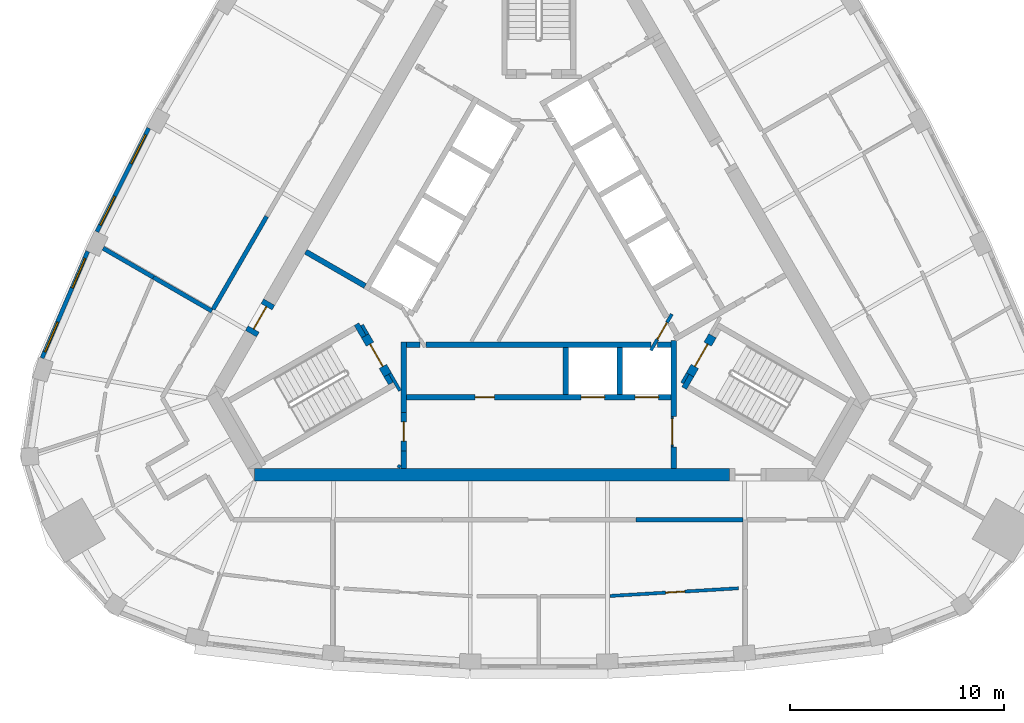
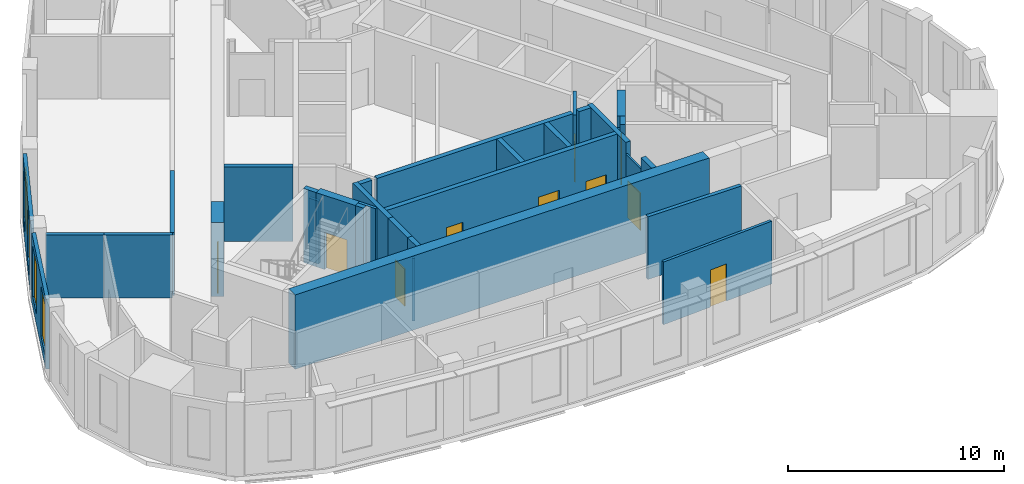
# One storey, part 4 of 10: 32 walls, 10 doors, 4 windows, 14 openings.
"""IFC4 building model written with IfcOpenShell, lengths in metres."""

from ifc_helpers import new_model, si_unit, direction, frame, frame_2d, origin, place, context, subcontext, project, spatial, rectangle, extrude, material, layer, layer_set, type_object, element, fill, save


model = new_model("IFC4")

# Units and contexts
model_context = context("Model", 3, precision=1e-05, world=origin(), true_north=direction((0.0, 1.0)))
body_context = subcontext(model_context, "Body", "Model", "MODEL_VIEW")
ifc_project = project(units=[si_unit("LENGTHUNIT", "METRE"), si_unit("AREAUNIT", "SQUARE_METRE"), si_unit("VOLUMEUNIT", "CUBIC_METRE"), si_unit("PLANEANGLEUNIT", "RADIAN"), si_unit("MASSUNIT", "GRAM", prefix="KILO")], contexts=[model_context])

# Site, building, storey
site_placement = place(None, origin())
site = spatial("IfcSite", under=ifc_project, at=site_placement, CompositionType="ELEMENT")
building_placement = place(site_placement, origin())
building = spatial("IfcBuilding", under=site, at=building_placement, Name="Mestral Congress Tower", CompositionType="ELEMENT")
storey_placement = place(building_placement, frame((0.0, 0.0, 304.800048828125)))
storey = spatial("IfcBuildingStorey", under=building, at=storey_placement, Name="L71", CompositionType="ELEMENT", Elevation=304.800048828125)

# Walls
ifc_material_1 = material(Name="Fire-rated board partition")
ifc_layer_1 = layer(ifc_material_1, 0.14990234375)
ifc_layer_set_1 = layer_set([ifc_layer_1], Name="Fire-rated board partition")
wall_type_1 = type_object("IfcWallType", Name="Core partition 150", PredefinedType="PARTITIONING", material=ifc_layer_set_1)
for number, where, z_axis, x_axis, name in (
    (1, (-8.251953125, -2.958251953125, 0.0), (0.0, 0.0, 1.0), (0.500174715838, -0.865924508047, 0.0), "L71 core wall"),
    (2, (6.94482421875, -5.22216796875, 0.0), (0.0, 0.0, 1.0), (-0.499818422106, -0.866130212453, 0.0), "L71 core wall"),
):
    element("IfcWall", number, at=place(storey_placement, frame(where, z_axis=z_axis, x_axis=x_axis)), inside=storey, type_object=wall_type_1, Name=name, PredefinedType="PARTITIONING", context=body_context, shape_type="SweptSolid", body=[
        extrude(rectangle(XDim=0.513916015625, YDim=0.14990234375, at=frame_2d((0.2568359375, 0.0))), origin(), (0.0, 0.0, 1.0), 3.550048828125),
    ])
wall_1_placement = place(storey_placement, frame((-6.552978515625, -9.6181640625, 0.0), z_axis=(0.0, 0.0, 1.0), x_axis=(0.499915430684, 0.866074224396, 0.0)))
element("IfcWall", 3, at=wall_1_placement, inside=storey, type_object=wall_type_1, Name="L71 core wall", PredefinedType="PARTITIONING", context=body_context, shape_type="SweptSolid", body=[
    extrude(rectangle(XDim=0.14599609375, YDim=0.14990234375, at=frame_2d((0.072998046875, 0.0))), origin(), (0.0, 0.0, 1.0), 3.550048828125),
])

# Wall, opening, door
ifc_layer_2 = layer(ifc_material_1, 0.090087890625)
ifc_layer_set_2 = layer_set([ifc_layer_2], Name="Fire-rated board partition")
wall_type_2 = type_object("IfcWallType", Name="Core partition 150 door-wall 90", PredefinedType="PARTITIONING", material=ifc_layer_set_2)
wall_2_placement = place(storey_placement, frame((6.219970703125, -7.23681640625, 0.0), z_axis=(0.0, 0.0, 1.0), x_axis=(0.0, -1.0, 0.0)))
wall_2 = element("IfcWall", 4, at=wall_2_placement, inside=storey, type_object=wall_type_2, Name="L71 door wall", PredefinedType="PARTITIONING", context=body_context, shape_type="SweptSolid", body=[
    extrude(rectangle(XDim=1.400146484375, YDim=0.090087890625, at=frame_2d((0.7001953125, 0.0))), origin(), (0.0, 0.0, 1.0), 3.550048828125),
])
opening_1_placement = place(wall_2_placement, frame((0.10009765625, 0.0, 0.0)))
opening_1 = element("IfcOpeningElement", 5, at=opening_1_placement, cuts=wall_2, Name="Opening LB0-WL1", PredefinedType="OPENING", context=body_context, shape_type="SweptSolid", body=[
    extrude(rectangle(XDim=1.199951171875, YDim=2.10009765625, at=frame_2d((0.60009765625, 1.050048828125))), frame((0.0, 0.054931640625, 0.0), z_axis=(0.0, -1.0, 0.0), x_axis=(1.0, 0.0, 0.0)), (0.0, 0.0, 1.0), 0.110107421875),
])
ifc_material_2 = material(Name="Fire-rated steel door set", Category="steel")
door_type_1 = type_object("IfcDoorType", Name="Core door LB 1200x2100", OperationType="SINGLE_SWING_LEFT", PredefinedType="DOOR", material=ifc_material_2)
door_1_placement = place(opening_1_placement, origin())
door_1 = element("IfcDoor", 6, at=door_1_placement, inside=storey, type_object=door_type_1, Name="Door LB0-WL1", OperationType="SINGLE_SWING_LEFT", OverallHeight=2.10009765625, OverallWidth=1.199951171875, PredefinedType="DOOR", context=body_context, shape_type="SweptSolid", body=[
    extrude(rectangle(XDim=1.199951171875, YDim=2.10009765625, at=frame_2d((0.60009765625, 1.050048828125))), frame((0.0, 0.02490234375, 0.0), z_axis=(0.0, -1.0, 0.0), x_axis=(1.0, 0.0, 0.0)), (0.0, 0.0, 1.0), 0.050048828125),
])
fill(opening_1, door_1)

# Wall
ifc_material_3 = material(Name="Concrete C60/75", Category="concrete")
ifc_layer_3 = layer(ifc_material_3, 0.60009765625)
ifc_layer_set_3 = layer_set([ifc_layer_3], Name="Concrete C60/75")
wall_type_3 = type_object("IfcWallType", Name="Core wall RC 600", PredefinedType="SOLIDWALL", material=ifc_layer_set_3)
wall_3_placement = place(storey_placement, frame((8.904296875, -9.949951171875, 0.0), z_axis=(0.0, 0.0, 1.0), x_axis=(-1.0, 0.0, 0.0)))
element("IfcWall", 7, at=wall_3_placement, inside=storey, type_object=wall_type_3, Name="L71 core wall", PredefinedType="SOLIDWALL", context=body_context, shape_type="SweptSolid", body=[
    extrude(rectangle(XDim=22.160888671875, YDim=0.60009765625, at=frame_2d((11.08056640625, 0.0))), origin(), (0.0, 0.0, 1.0), 4.199951171875),
])

# Wall, opening, door
wall_4_placement = place(storey_placement, frame((-13.431640625, -3.3642578125, 0.0), z_axis=(0.0, 0.0, 1.0), x_axis=(0.500062241894, 0.865989465428, 0.0)))
wall_4 = element("IfcWall", 8, at=wall_4_placement, inside=storey, type_object=wall_type_3, Name="L71 door wall", PredefinedType="SOLIDWALL", context=body_context, shape_type="SweptSolid", body=[
    extrude(rectangle(XDim=1.699951171875, YDim=0.60009765625, at=frame_2d((0.85009765625, 0.0))), origin(), (0.0, 0.0, 1.0), 4.199951171875),
])
opening_2_placement = place(wall_4_placement, frame((0.25, 0.0, 0.0)))
opening_2 = element("IfcOpeningElement", 9, at=opening_2_placement, cuts=wall_4, Name="Opening XD3", PredefinedType="OPENING", context=body_context, shape_type="SweptSolid", body=[
    extrude(rectangle(XDim=1.199951171875, YDim=2.10009765625, at=frame_2d((0.60009765625, 1.050048828125))), frame((0.0, 0.31005859375, 0.0), z_axis=(0.0, -1.0, 0.0), x_axis=(1.0, 0.0, 0.0)), (0.0, 0.0, 1.0), 0.6201171875),
])
door_type_2 = type_object("IfcDoorType", Name="Core door XD 1200x2100", OperationType="SINGLE_SWING_LEFT", PredefinedType="DOOR", material=ifc_material_2)
door_2_placement = place(opening_2_placement, origin())
door_2 = element("IfcDoor", 10, at=door_2_placement, inside=storey, type_object=door_type_2, Name="Door XD3", OperationType="SINGLE_SWING_LEFT", OverallHeight=2.10009765625, OverallWidth=1.199951171875, PredefinedType="DOOR", context=body_context, shape_type="SweptSolid", body=[
    extrude(rectangle(XDim=1.199951171875, YDim=2.10009765625, at=frame_2d((0.60009765625, 1.050048828125))), frame((0.0, 0.02490234375, 0.0), z_axis=(0.0, -1.0, 0.0), x_axis=(1.0, 0.0, 0.0)), (0.0, 0.0, 1.0), 0.050048828125),
])
fill(opening_2, door_2)

# Wall, openings, windows
ifc_material_4 = material(Name="Precast concrete C40/50 with limestone facing", Category="masonry")
ifc_layer_4 = layer(ifc_material_4, 0.18994140625)
ifc_layer_set_4 = layer_set([ifc_layer_4], Name="Precast concrete C40/50 with limestone facing")
wall_type_4 = type_object("IfcWallType", Name="Facade stone wall 190", PredefinedType="SOLIDWALL", material=ifc_layer_set_4)
wall_5_placement = place(storey_placement, frame((-18.205810546875, 6.226806640625, 0.0), z_axis=(0.0, 0.0, 1.0), x_axis=(-0.447484531401, -0.894291671747, 0.0)))
wall_5 = element("IfcWall", 11, at=wall_5_placement, inside=storey, type_object=wall_type_4, Name="Facade wall F2-03", PredefinedType="SOLIDWALL", context=body_context, shape_type="SweptSolid", body=[
    extrude(rectangle(XDim=5.40625, YDim=0.18994140625, at=frame_2d((2.703125, 0.0))), origin(), (0.0, 0.0, 1.0), 3.949951171875),
])
opening_3_placement = place(wall_5_placement, frame((0.346435546875, 0.0, 0.60009765625)))
opening_3 = element("IfcOpeningElement", 12, at=opening_3_placement, cuts=wall_5, Name="Opening W6", PredefinedType="OPENING", context=body_context, shape_type="SweptSolid", body=[
    extrude(rectangle(XDim=1.5, YDim=2.85009765625, at=frame_2d((0.75, 1.425048828125))), frame((0.0, 0.10498046875, 0.0), z_axis=(0.0, -1.0, 0.0), x_axis=(1.0, 0.0, 0.0)), (0.0, 0.0, 1.0), 0.2099609375),
])
opening_4_placement = place(wall_5_placement, frame((3.559326171875, 0.0, 0.60009765625)))
opening_4 = element("IfcOpeningElement", 13, at=opening_4_placement, cuts=wall_5, Name="Opening W6", PredefinedType="OPENING", context=body_context, shape_type="SweptSolid", body=[
    extrude(rectangle(XDim=1.5, YDim=2.85009765625, at=frame_2d((0.75, 1.425048828125))), frame((0.0, 0.10498046875, 0.0), z_axis=(0.0, -1.0, 0.0), x_axis=(1.0, 0.0, 0.0)), (0.0, 0.0, 1.0), 0.2099609375),
])
ifc_material_5 = material(Name="Clear low-emissivity double glazing", Category="glass")
window_type = type_object("IfcWindowType", Name="Facade punched window 1500 x 2850 sill 600", PartitioningType="SINGLE_PANEL", PredefinedType="WINDOW", material=ifc_material_5)
window_1_placement = place(opening_3_placement, origin())
window_1 = element("IfcWindow", 14, at=window_1_placement, inside=storey, type_object=window_type, Name="Window F2-03a", OverallHeight=2.85009765625, OverallWidth=1.5, PartitioningType="SINGLE_PANEL", PredefinedType="WINDOW", context=body_context, shape_type="SweptSolid", body=[
    extrude(rectangle(XDim=1.5, YDim=2.85009765625, at=frame_2d((0.75, 1.425048828125))), frame((0.0, 0.044921875, 0.0), z_axis=(0.0, -1.0, 0.0), x_axis=(1.0, 0.0, 0.0)), (0.0, 0.0, 1.0), 0.06005859375),
])
fill(opening_3, window_1)
window_2_placement = place(opening_4_placement, origin())
window_2 = element("IfcWindow", 15, at=window_2_placement, inside=storey, type_object=window_type, Name="Window F2-03b", OverallHeight=2.85009765625, OverallWidth=1.5, PartitioningType="SINGLE_PANEL", PredefinedType="WINDOW", context=body_context, shape_type="SweptSolid", body=[
    extrude(rectangle(XDim=1.5, YDim=2.85009765625, at=frame_2d((0.75, 1.425048828125))), frame((0.0, 0.044921875, 0.0), z_axis=(0.0, -1.0, 0.0), x_axis=(1.0, 0.0, 0.0)), (0.0, 0.0, 1.0), 0.06005859375),
])
fill(opening_4, window_2)

wall_6_placement = place(storey_placement, frame((-21.048828125, 0.477783203125, 0.0), z_axis=(0.0, 0.0, 1.0), x_axis=(-0.393347848476, -0.919389726992, 0.0)))
wall_6 = element("IfcWall", 16, at=wall_6_placement, inside=storey, type_object=wall_type_4, Name="Facade wall F2-04", PredefinedType="SOLIDWALL", context=body_context, shape_type="SweptSolid", body=[
    extrude(rectangle(XDim=5.414794921875, YDim=0.18994140625, at=frame_2d((2.70751953125, 0.0))), origin(), (0.0, 0.0, 1.0), 3.949951171875),
])
opening_5_placement = place(wall_6_placement, frame((0.357421875, 0.0, 0.60009765625)))
opening_5 = element("IfcOpeningElement", 17, at=opening_5_placement, cuts=wall_6, Name="Opening W6", PredefinedType="OPENING", context=body_context, shape_type="SweptSolid", body=[
    extrude(rectangle(XDim=1.5, YDim=2.85009765625, at=frame_2d((0.75, 1.425048828125))), frame((0.0, 0.10498046875, 0.0), z_axis=(0.0, -1.0, 0.0), x_axis=(1.0, 0.0, 0.0)), (0.0, 0.0, 1.0), 0.2099609375),
])
opening_6_placement = place(wall_6_placement, frame((3.592529296875, 0.0, 0.60009765625)))
opening_6 = element("IfcOpeningElement", 18, at=opening_6_placement, cuts=wall_6, Name="Opening W6", PredefinedType="OPENING", context=body_context, shape_type="SweptSolid", body=[
    extrude(rectangle(XDim=1.5, YDim=2.85009765625, at=frame_2d((0.75, 1.425048828125))), frame((0.0, 0.10498046875, 0.0), z_axis=(0.0, -1.0, 0.0), x_axis=(1.0, 0.0, 0.0)), (0.0, 0.0, 1.0), 0.2099609375),
])
window_3_placement = place(opening_5_placement, origin())
window_3 = element("IfcWindow", 19, at=window_3_placement, inside=storey, type_object=window_type, Name="Window F2-04a", OverallHeight=2.85009765625, OverallWidth=1.5, PartitioningType="SINGLE_PANEL", PredefinedType="WINDOW", context=body_context, shape_type="SweptSolid", body=[
    extrude(rectangle(XDim=1.5, YDim=2.85009765625, at=frame_2d((0.75, 1.425048828125))), frame((0.0, 0.044921875, 0.0), z_axis=(0.0, -1.0, 0.0), x_axis=(1.0, 0.0, 0.0)), (0.0, 0.0, 1.0), 0.06005859375),
])
fill(opening_5, window_3)
window_4_placement = place(opening_6_placement, origin())
window_4 = element("IfcWindow", 20, at=window_4_placement, inside=storey, type_object=window_type, Name="Window F2-04b", OverallHeight=2.85009765625, OverallWidth=1.5, PartitioningType="SINGLE_PANEL", PredefinedType="WINDOW", context=body_context, shape_type="SweptSolid", body=[
    extrude(rectangle(XDim=1.5, YDim=2.85009765625, at=frame_2d((0.75, 1.425048828125))), frame((0.0, 0.044921875, 0.0), z_axis=(0.0, -1.0, 0.0), x_axis=(1.0, 0.0, 0.0)), (0.0, 0.0, 1.0), 0.06005859375),
])
fill(opening_6, window_4)

# Wall, opening, door
ifc_material_6 = material(Name="Plasterboard partition on steel studs", Category="steel")
ifc_layer_5 = layer(ifc_material_6, 0.14990234375)
ifc_layer_set_5 = layer_set([ifc_layer_5], Name="Plasterboard partition on steel studs")
wall_type_5 = type_object("IfcWallType", Name="Office partition 150", PredefinedType="PARTITIONING", material=ifc_layer_set_5)
wall_7_placement = place(storey_placement, frame((9.3154296875, -15.244384765625, 0.0), z_axis=(0.0, 0.0, 1.0), x_axis=(-0.998218822372, -0.059658885864, 0.0)))
wall_7 = element("IfcWall", 21, at=wall_7_placement, inside=storey, type_object=wall_type_5, Name="Partition", PredefinedType="PARTITIONING", context=body_context, shape_type="SweptSolid", body=[
    extrude(rectangle(XDim=6.00341796875, YDim=0.14990234375, at=frame_2d((3.001708984375, 0.0))), origin(), (0.0, 0.0, 1.0), 3.550048828125),
])
opening_7_placement = place(wall_7_placement, frame((2.50341796875, 0.0, 0.0)))
opening_7 = element("IfcOpeningElement", 22, at=opening_7_placement, cuts=wall_7, Name="Opening O14-002", PredefinedType="OPENING", context=body_context, shape_type="SweptSolid", body=[
    extrude(rectangle(XDim=0.89990234375, YDim=2.10009765625, at=frame_2d((0.449951171875, 1.050048828125))), frame((0.0, 0.0849609375, 0.0), z_axis=(0.0, -1.0, 0.0), x_axis=(1.0, 0.0, 0.0)), (0.0, 0.0, 1.0), 0.169921875),
])
ifc_material_7 = material(Name="Timber door set", Category="wood")
door_type_3 = type_object("IfcDoorType", Name="Office door 900x2100", OperationType="SINGLE_SWING_LEFT", PredefinedType="DOOR", material=ifc_material_7)
door_3_placement = place(opening_7_placement, origin())
door_3 = element("IfcDoor", 23, at=door_3_placement, inside=storey, type_object=door_type_3, Name="Door O14-002", OperationType="SINGLE_SWING_LEFT", OverallHeight=2.10009765625, OverallWidth=0.89990234375, PredefinedType="DOOR", context=body_context, shape_type="SweptSolid", body=[
    extrude(rectangle(XDim=0.89990234375, YDim=2.10009765625, at=frame_2d((0.449951171875, 1.050048828125))), frame((0.0, 0.02490234375, 0.0), z_axis=(0.0, -1.0, 0.0), x_axis=(1.0, 0.0, 0.0)), (0.0, 0.0, 1.0), 0.050048828125),
])
fill(opening_7, door_3)

# Walls
ifc_material_8 = material(Name="Dense masonry wall, plastered", Category="masonry")
ifc_layer_6 = layer(ifc_material_8, 0.199951171875)
ifc_layer_set_6 = layer_set([ifc_layer_6], Name="Dense masonry wall, plastered")
wall_type_6 = type_object("IfcWallType", Name="Office tenancy wall 200", PredefinedType="PARTITIONING", material=ifc_layer_set_6)
wall_8_placement = place(storey_placement, frame((4.530029296875, -12.050048828125, 0.0), z_axis=(0.0, 0.0, 1.0), x_axis=(1.0, 0.0, 0.0)))
element("IfcWall", 24, at=wall_8_placement, inside=storey, type_object=wall_type_6, Name="Tenancy wall", PredefinedType="PARTITIONING", context=body_context, shape_type="SweptSolid", body=[
    extrude(rectangle(XDim=4.997314453125, YDim=0.199951171875, at=frame_2d((2.49853515625, 0.0))), origin(), (0.0, 0.0, 1.0), 3.550048828125),
])
wall_9_placement = place(storey_placement, frame((-17.97998046875, -0.736083984375, 0.0), z_axis=(0.0, 0.0, 1.0), x_axis=(-0.866049350164, 0.49995852136, 0.0)))
element("IfcWall", 25, at=wall_9_placement, inside=storey, type_object=wall_type_6, Name="Tenancy wall", PredefinedType="PARTITIONING", context=body_context, shape_type="SweptSolid", body=[
    extrude(rectangle(XDim=2.715576171875, YDim=0.199951171875, at=frame_2d((1.35791015625, 0.0))), origin(), (0.0, 0.0, 1.0), 3.550048828125),
])
wall_10_placement = place(storey_placement, frame((-15.249267578125, -2.3125, 0.0), z_axis=(0.0, 0.0, 1.0), x_axis=(-0.866053113424, 0.499952002425, 0.0)))
element("IfcWall", 26, at=wall_10_placement, inside=storey, type_object=wall_type_6, Name="Tenancy wall", PredefinedType="PARTITIONING", context=body_context, shape_type="SweptSolid", body=[
    extrude(rectangle(XDim=3.160888671875, YDim=0.199951171875, at=frame_2d((1.58056640625, 0.0))), origin(), (0.0, 0.0, 1.0), 3.550048828125),
])
wall_11_placement = place(storey_placement, frame((-12.70068359375, 2.101806640625, 0.0), z_axis=(0.0, 0.0, 1.0), x_axis=(-0.499974782844, -0.866039962427, 0.0)))
element("IfcWall", 27, at=wall_11_placement, inside=storey, type_object=wall_type_6, Name="Tenancy wall", PredefinedType="PARTITIONING", context=body_context, shape_type="SweptSolid", body=[
    extrude(rectangle(XDim=4.997314453125, YDim=0.199951171875, at=frame_2d((2.49853515625, 0.0))), origin(), (0.0, 0.0, 1.0), 3.550048828125),
])
ifc_layer_7 = layer(ifc_material_3, 0.25)
ifc_layer_set_7 = layer_set([ifc_layer_7], Name="Concrete C60/75")
wall_type_7 = type_object("IfcWallType", Name="Shaft wall RC 250", PredefinedType="SOLIDWALL", material=ifc_layer_set_7)
wall_12_placement = place(storey_placement, frame((6.300048828125, -7.239990234375, 0.0), z_axis=(0.0, 0.0, 1.0), x_axis=(0.0, 1.0, 0.0)))
element("IfcWall", 28, at=wall_12_placement, inside=storey, type_object=wall_type_7, Name="L71 core wall", PredefinedType="SOLIDWALL", context=body_context, shape_type="SweptSolid", body=[
    extrude(rectangle(XDim=3.55615234375, YDim=0.25, at=frame_2d((1.778076171875, 0.0))), origin(), (0.0, 0.0, 1.0), 4.199951171875),
])
wall_13_placement = place(storey_placement, frame((6.300048828125, -9.64990234375, 0.0), z_axis=(0.0, 0.0, 1.0), x_axis=(0.0, 1.0, 0.0)))
element("IfcWall", 29, at=wall_13_placement, inside=storey, type_object=wall_type_7, Name="L71 core wall", PredefinedType="SOLIDWALL", context=body_context, shape_type="SweptSolid", body=[
    extrude(rectangle(XDim=1.0078125, YDim=0.25, at=frame_2d((0.50390625, 0.0))), origin(), (0.0, 0.0, 1.0), 4.199951171875),
])
wall_14_placement = place(storey_placement, frame((5.538330078125, -3.875, 0.0), z_axis=(0.0, 0.0, 1.0), x_axis=(1.0, 0.0, 0.0)))
element("IfcWall", 30, at=wall_14_placement, inside=storey, type_object=wall_type_7, Name="L71 core wall", PredefinedType="SOLIDWALL", context=body_context, shape_type="SweptSolid", body=[
    extrude(rectangle(XDim=0.63671875, YDim=0.25, at=frame_2d((0.318359375, 0.0))), origin(), (0.0, 0.0, 1.0), 4.199951171875),
])
wall_15_placement = place(storey_placement, frame((-5.25927734375, -3.875, 0.0), z_axis=(0.0, 0.0, 1.0), x_axis=(1.0, 0.0, 0.0)))
element("IfcWall", 31, at=wall_15_placement, inside=storey, type_object=wall_type_7, Name="L71 core wall", PredefinedType="SOLIDWALL", context=body_context, shape_type="SweptSolid", body=[
    extrude(rectangle(XDim=10.488525390625, YDim=0.25, at=frame_2d((5.244140625, 0.0))), origin(), (0.0, 0.0, 1.0), 4.199951171875),
])
for number, where, z_axis, x_axis, name in (
    (32, (1.260009765625, -4.0, 0.0), (0.0, 0.0, 1.0), (0.0, -1.0, 0.0), "L71 core wall"),
    (33, (3.780029296875, -4.0, 0.0), (0.0, 0.0, 1.0), (0.0, -1.0, 0.0), "L71 core wall"),
):
    element("IfcWall", number, at=place(storey_placement, frame(where, z_axis=z_axis, x_axis=x_axis)), inside=storey, type_object=wall_type_7, Name=name, PredefinedType="SOLIDWALL", context=body_context, shape_type="SweptSolid", body=[
        extrude(rectangle(XDim=2.199951171875, YDim=0.25, at=frame_2d((1.10009765625, 0.0))), origin(), (0.0, 0.0, 1.0), 4.199951171875),
    ])
wall_16_placement = place(storey_placement, frame((-6.300048828125, -7.033447265625, 0.0), z_axis=(0.0, 0.0, 1.0), x_axis=(0.0, 1.0, 0.0)))
element("IfcWall", 34, at=wall_16_placement, inside=storey, type_object=wall_type_7, Name="L71 core wall", PredefinedType="SOLIDWALL", context=body_context, shape_type="SweptSolid", body=[
    extrude(rectangle(XDim=3.283447265625, YDim=0.25, at=frame_2d((1.6416015625, 0.0))), origin(), (0.0, 0.0, 1.0), 4.199951171875),
])
wall_17_placement = place(storey_placement, frame((-6.175048828125, -3.875, 0.0), z_axis=(0.0, 0.0, 1.0), x_axis=(1.0, 0.0, 0.0)))
element("IfcWall", 35, at=wall_17_placement, inside=storey, type_object=wall_type_7, Name="L71 core wall", PredefinedType="SOLIDWALL", context=body_context, shape_type="SweptSolid", body=[
    extrude(rectangle(XDim=0.63671875, YDim=0.25, at=frame_2d((0.318359375, 0.0))), origin(), (0.0, 0.0, 1.0), 4.199951171875),
])
wall_18_placement = place(storey_placement, frame((-6.300048828125, -9.64990234375, 0.0), z_axis=(0.0, 0.0, 1.0), x_axis=(0.0, 1.0, 0.0)))
element("IfcWall", 36, at=wall_18_placement, inside=storey, type_object=wall_type_7, Name="L71 core wall", PredefinedType="SOLIDWALL", context=body_context, shape_type="SweptSolid", body=[
    extrude(rectangle(XDim=0.816162109375, YDim=0.25, at=frame_2d((0.408203125, 0.0))), origin(), (0.0, 0.0, 1.0), 4.199951171875),
])
wall_19_placement = place(storey_placement, frame((-8.10595703125, -1.139892578125, 0.0), z_axis=(0.0, 0.0, 1.0), x_axis=(-0.866008981251, 0.500028443584, 0.0)))
element("IfcWall", 37, at=wall_19_placement, inside=storey, type_object=wall_type_7, Name="L71 core wall", PredefinedType="SOLIDWALL", context=body_context, shape_type="SweptSolid", body=[
    extrude(rectangle(XDim=3.199951171875, YDim=0.25, at=frame_2d((1.60009765625, 0.0))), origin(), (0.0, 0.0, 1.0), 4.199951171875),
])

# Wall, openings, doors
wall_20_placement = place(storey_placement, frame((-6.175048828125, -6.324951171875, 0.0), z_axis=(0.0, 0.0, 1.0), x_axis=(1.0, 0.0, 0.0)))
wall_20 = element("IfcWall", 38, at=wall_20_placement, inside=storey, type_object=wall_type_7, Name="L71 door wall", PredefinedType="SOLIDWALL", context=body_context, shape_type="SweptSolid", body=[
    extrude(rectangle(XDim=12.35009765625, YDim=0.25, at=frame_2d((6.175048828125, 0.0))), origin(), (0.0, 0.0, 1.0), 4.199951171875),
])
opening_8_placement = place(wall_20_placement, frame((3.205078125, 0.0, 0.0)))
opening_8 = element("IfcOpeningElement", 39, at=opening_8_placement, cuts=wall_20, Name="Opening SR-SOB1", PredefinedType="OPENING", context=body_context, shape_type="SweptSolid", body=[
    extrude(rectangle(XDim=0.89990234375, YDim=2.10009765625, at=frame_2d((0.449951171875, 1.050048828125))), frame((0.0, 0.135009765625, 0.0), z_axis=(0.0, -1.0, 0.0), x_axis=(1.0, 0.0, 0.0)), (0.0, 0.0, 1.0), 0.27001953125),
])
opening_9_placement = place(wall_20_placement, frame((8.14501953125, 0.0, 0.0)))
opening_9 = element("IfcOpeningElement", 40, at=opening_9_placement, cuts=wall_20, Name="Opening LD-SOB4", PredefinedType="OPENING", context=body_context, shape_type="SweptSolid", body=[
    extrude(rectangle(XDim=1.10009765625, YDim=2.10009765625, at=frame_2d((0.550048828125, 1.050048828125))), frame((0.0, 0.135009765625, 0.0), z_axis=(0.0, -1.0, 0.0), x_axis=(1.0, 0.0, 0.0)), (0.0, 0.0, 1.0), 0.27001953125),
])
opening_10_placement = place(wall_20_placement, frame((10.6650390625, 0.0, 0.0)))
opening_10 = element("IfcOpeningElement", 41, at=opening_10_placement, cuts=wall_20, Name="Opening LD-SOB5", PredefinedType="OPENING", context=body_context, shape_type="SweptSolid", body=[
    extrude(rectangle(XDim=1.10009765625, YDim=2.10009765625, at=frame_2d((0.550048828125, 1.050048828125))), frame((0.0, 0.135009765625, 0.0), z_axis=(0.0, -1.0, 0.0), x_axis=(1.0, 0.0, 0.0)), (0.0, 0.0, 1.0), 0.27001953125),
])
door_type_4 = type_object("IfcDoorType", Name="Core door LD 1100x2100", OperationType="DOUBLE_DOOR_SLIDING", PredefinedType="DOOR", material=ifc_material_2)
door_4_placement = place(opening_9_placement, origin())
door_4 = element("IfcDoor", 42, at=door_4_placement, inside=storey, type_object=door_type_4, Name="Door LD-SOB4", OperationType="DOUBLE_DOOR_SLIDING", OverallHeight=2.10009765625, OverallWidth=1.10009765625, PredefinedType="DOOR", context=body_context, shape_type="SweptSolid", body=[
    extrude(rectangle(XDim=1.10009765625, YDim=2.10009765625, at=frame_2d((0.550048828125, 1.050048828125))), frame((0.0, 0.02490234375, 0.0), z_axis=(0.0, -1.0, 0.0), x_axis=(1.0, 0.0, 0.0)), (0.0, 0.0, 1.0), 0.050048828125),
])
fill(opening_9, door_4)
door_5_placement = place(opening_10_placement, origin())
door_5 = element("IfcDoor", 43, at=door_5_placement, inside=storey, type_object=door_type_4, Name="Door LD-SOB5", OperationType="DOUBLE_DOOR_SLIDING", OverallHeight=2.10009765625, OverallWidth=1.10009765625, PredefinedType="DOOR", context=body_context, shape_type="SweptSolid", body=[
    extrude(rectangle(XDim=1.10009765625, YDim=2.10009765625, at=frame_2d((0.550048828125, 1.050048828125))), frame((0.0, 0.02490234375, 0.0), z_axis=(0.0, -1.0, 0.0), x_axis=(1.0, 0.0, 0.0)), (0.0, 0.0, 1.0), 0.050048828125),
])
fill(opening_10, door_5)
door_type_5 = type_object("IfcDoorType", Name="Core door SR 900x2100", OperationType="SINGLE_SWING_LEFT", PredefinedType="DOOR", material=ifc_material_2)
door_6_placement = place(opening_8_placement, origin())
door_6 = element("IfcDoor", 44, at=door_6_placement, inside=storey, type_object=door_type_5, Name="Door SR-SOB1", OperationType="SINGLE_SWING_LEFT", OverallHeight=2.10009765625, OverallWidth=0.89990234375, PredefinedType="DOOR", context=body_context, shape_type="SweptSolid", body=[
    extrude(rectangle(XDim=0.89990234375, YDim=2.10009765625, at=frame_2d((0.449951171875, 1.050048828125))), frame((0.0, 0.02490234375, 0.0), z_axis=(0.0, -1.0, 0.0), x_axis=(1.0, 0.0, 0.0)), (0.0, 0.0, 1.0), 0.050048828125),
])
fill(opening_8, door_6)

# Wall, opening, door
wall_21_placement = place(storey_placement, frame((-6.300048828125, -7.03369140625, 0.0), z_axis=(0.0, 0.0, 1.0), x_axis=(0.0, -1.0, 0.0)))
wall_21 = element("IfcWall", 45, at=wall_21_placement, inside=storey, type_object=wall_type_7, Name="L71 door wall", PredefinedType="SOLIDWALL", context=body_context, shape_type="SweptSolid", body=[
    extrude(rectangle(XDim=1.7998046875, YDim=0.25, at=frame_2d((0.89990234375, 0.0))), origin(), (0.0, 0.0, 1.0), 4.199951171875),
])
opening_11_placement = place(wall_21_placement, frame((0.449951171875, 0.0, 0.0)))
opening_11 = element("IfcOpeningElement", 46, at=opening_11_placement, cuts=wall_21, Name="Opening TD3", PredefinedType="OPENING", context=body_context, shape_type="SweptSolid", body=[
    extrude(rectangle(XDim=0.89990234375, YDim=2.10009765625, at=frame_2d((0.449951171875, 1.050048828125))), frame((0.0, 0.135009765625, 0.0), z_axis=(0.0, -1.0, 0.0), x_axis=(1.0, 0.0, 0.0)), (0.0, 0.0, 1.0), 0.27001953125),
])
door_7_placement = place(opening_11_placement, origin())
door_7 = element("IfcDoor", 47, at=door_7_placement, inside=storey, type_object=door_type_5, Name="Door TD3", OperationType="SINGLE_SWING_LEFT", OverallHeight=2.10009765625, OverallWidth=0.89990234375, PredefinedType="DOOR", context=body_context, shape_type="SweptSolid", body=[
    extrude(rectangle(XDim=0.89990234375, YDim=2.10009765625, at=frame_2d((0.449951171875, 1.050048828125))), frame((0.0, 0.02490234375, 0.0), z_axis=(0.0, -1.0, 0.0), x_axis=(1.0, 0.0, 0.0)), (0.0, 0.0, 1.0), 0.050048828125),
])
fill(opening_11, door_7)

# Wall
ifc_layer_8 = layer(ifc_material_3, 0.14990234375)
ifc_layer_set_8 = layer_set([ifc_layer_8], Name="Concrete C60/75")
wall_type_8 = type_object("IfcWallType", Name="Shaft wall RC 250 door-wall 150", PredefinedType="SOLIDWALL", material=ifc_layer_set_8)
wall_22_placement = place(storey_placement, frame((-6.48046875, -6.026611328125, 0.0), z_axis=(0.0, 0.0, 1.0), x_axis=(-0.499927229454, 0.866067413802, 0.0)))
element("IfcWall", 48, at=wall_22_placement, inside=storey, type_object=wall_type_8, Name="L71 core wall", PredefinedType="PARTITIONING", context=body_context, shape_type="SweptSolid", body=[
    extrude(rectangle(XDim=0.928955078125, YDim=0.14990234375, at=frame_2d((0.46435546875, 0.0))), origin(), (0.0, 0.0, 1.0), 4.199951171875),
])

# Wall, opening, door
wall_23_placement = place(storey_placement, frame((6.203369140625, -2.45556640625, 0.0), z_axis=(0.0, 0.0, 1.0), x_axis=(-0.500043961785, -0.866000020948, 0.0)))
wall_23 = element("IfcWall", 49, at=wall_23_placement, inside=storey, type_object=wall_type_8, Name="L71 door wall", PredefinedType="PARTITIONING", context=body_context, shape_type="SweptSolid", body=[
    extrude(rectangle(XDim=1.949951171875, YDim=0.14990234375, at=frame_2d((0.97509765625, 0.0))), origin(), (0.0, 0.0, 1.0), 4.199951171875),
])
opening_12_placement = place(wall_23_placement, frame((0.449951171875, 0.0, 0.0)))
opening_12 = element("IfcOpeningElement", 50, at=opening_12_placement, cuts=wall_23, Name="Opening CD1-HUB0", PredefinedType="OPENING", context=body_context, shape_type="SweptSolid", body=[
    extrude(rectangle(XDim=0.89990234375, YDim=2.10009765625, at=frame_2d((0.449951171875, 1.050048828125))), frame((0.0, 0.0849609375, 0.0), z_axis=(0.0, -1.0, 0.0), x_axis=(1.0, 0.0, 0.0)), (0.0, 0.0, 1.0), 0.169921875),
])
door_type_6 = type_object("IfcDoorType", Name="Core door CD 900x2100", OperationType="SINGLE_SWING_LEFT", PredefinedType="DOOR", material=ifc_material_2)
door_8_placement = place(opening_12_placement, origin())
door_8 = element("IfcDoor", 51, at=door_8_placement, inside=storey, type_object=door_type_6, Name="Door CD1-HUB0", OperationType="SINGLE_SWING_LEFT", OverallHeight=2.10009765625, OverallWidth=0.89990234375, PredefinedType="DOOR", context=body_context, shape_type="SweptSolid", body=[
    extrude(rectangle(XDim=0.89990234375, YDim=2.10009765625, at=frame_2d((0.449951171875, 1.050048828125))), frame((0.0, 0.02490234375, 0.0), z_axis=(0.0, -1.0, 0.0), x_axis=(1.0, 0.0, 0.0)), (0.0, 0.0, 1.0), 0.050048828125),
])
fill(opening_12, door_8)

# Walls
ifc_layer_9 = layer(ifc_material_3, 0.25)
ifc_layer_set_9 = layer_set([ifc_layer_9], Name="Concrete C60/75")
wall_type_9 = type_object("IfcWallType", Name="Stair wall RC 250", PredefinedType="SOLIDWALL", material=ifc_layer_set_9)
wall_24_placement = place(storey_placement, frame((6.780029296875, -5.906494140625, 0.0), z_axis=(0.0, 0.0, 1.0), x_axis=(0.500223362819, 0.865896406789, 0.0)))
element("IfcWall", 52, at=wall_24_placement, inside=storey, type_object=wall_type_9, Name="L71 core wall", PredefinedType="SOLIDWALL", context=body_context, shape_type="SweptSolid", body=[
    extrude(rectangle(XDim=0.675048828125, YDim=0.25, at=frame_2d((0.33740234375, 0.0))), origin(), (0.0, 0.0, 1.0), 4.199951171875),
])
wall_25_placement = place(storey_placement, frame((-8.167724609375, -3.503173828125, 0.0), z_axis=(0.0, 0.0, 1.0), x_axis=(-0.499952099219, 0.866053057547, 0.0)))
element("IfcWall", 53, at=wall_25_placement, inside=storey, type_object=wall_type_9, Name="L71 core wall", PredefinedType="SOLIDWALL", context=body_context, shape_type="SweptSolid", body=[
    extrude(rectangle(XDim=0.6748046875, YDim=0.25, at=frame_2d((0.33740234375, 0.0))), origin(), (0.0, 0.0, 1.0), 4.199951171875),
])
wall_26_placement = place(storey_placement, frame((-6.905029296875, -5.68994140625, 0.0), z_axis=(0.0, 0.0, 1.0), x_axis=(-0.500402024738, 0.865793170242, 0.0)))
element("IfcWall", 54, at=wall_26_placement, inside=storey, type_object=wall_type_9, Name="L71 core wall", PredefinedType="SOLIDWALL", context=body_context, shape_type="SweptSolid", body=[
    extrude(rectangle(XDim=0.425048828125, YDim=0.25, at=frame_2d((0.21240234375, 0.0))), origin(), (0.0, 0.0, 1.0), 4.199951171875),
])

# Wall, opening, door
ifc_layer_10 = layer(ifc_material_3, 0.39990234375)
ifc_layer_set_10 = layer_set([ifc_layer_10], Name="Concrete C60/75")
wall_type_10 = type_object("IfcWallType", Name="Stair wall RC 250 door-wall 400", PredefinedType="SOLIDWALL", material=ifc_layer_set_10)
wall_27_placement = place(storey_placement, frame((7.052734375, -5.2841796875, 0.0), z_axis=(0.0, 0.0, 1.0), x_axis=(0.500078061341, 0.865980330357, 0.0)))
wall_27 = element("IfcWall", 55, at=wall_27_placement, inside=storey, type_object=wall_type_10, Name="L71 door wall", PredefinedType="SOLIDWALL", context=body_context, shape_type="SweptSolid", body=[
    extrude(rectangle(XDim=2.099853515625, YDim=0.39990234375, at=frame_2d((1.0498046875, 0.0))), origin(), (0.0, 0.0, 1.0), 4.199951171875),
])
opening_13_placement = place(wall_27_placement, frame((0.449951171875, 0.0, 0.0)))
opening_13 = element("IfcOpeningElement", 56, at=opening_13_placement, cuts=wall_27, Name="Opening ST-D1", PredefinedType="OPENING", context=body_context, shape_type="SweptSolid", body=[
    extrude(rectangle(XDim=1.199951171875, YDim=2.10009765625, at=frame_2d((0.60009765625, 1.050048828125))), frame((0.0, 0.2099609375, 0.0), z_axis=(0.0, -1.0, 0.0), x_axis=(1.0, 0.0, 0.0)), (0.0, 0.0, 1.0), 0.419921875),
])
door_type_7 = type_object("IfcDoorType", Name="Core door ST 1200x2100", OperationType="SINGLE_SWING_LEFT", PredefinedType="DOOR", material=ifc_material_2)
door_9_placement = place(opening_13_placement, origin())
door_9 = element("IfcDoor", 57, at=door_9_placement, inside=storey, type_object=door_type_7, Name="Door ST-D1", OperationType="SINGLE_SWING_LEFT", OverallHeight=2.10009765625, OverallWidth=1.199951171875, PredefinedType="DOOR", context=body_context, shape_type="SweptSolid", body=[
    extrude(rectangle(XDim=1.199951171875, YDim=2.10009765625, at=frame_2d((0.60009765625, 1.050048828125))), frame((0.0, 0.02490234375, 0.0), z_axis=(0.0, -1.0, 0.0), x_axis=(1.0, 0.0, 0.0)), (0.0, 0.0, 1.0), 0.050048828125),
])
fill(opening_13, door_9)

wall_28_placement = place(storey_placement, frame((-8.102783203125, -3.4658203125, 0.0), z_axis=(0.0, 0.0, 1.0), x_axis=(0.500078061341, -0.865980330357, 0.0)))
wall_28 = element("IfcWall", 58, at=wall_28_placement, inside=storey, type_object=wall_type_10, Name="L71 door wall", PredefinedType="SOLIDWALL", context=body_context, shape_type="SweptSolid", body=[
    extrude(rectangle(XDim=2.099853515625, YDim=0.39990234375, at=frame_2d((1.0498046875, 0.0))), origin(), (0.0, 0.0, 1.0), 4.199951171875),
])
opening_14_placement = place(wall_28_placement, frame((0.449951171875, 0.0, 0.0)))
opening_14 = element("IfcOpeningElement", 59, at=opening_14_placement, cuts=wall_28, Name="Opening ST-D3", PredefinedType="OPENING", context=body_context, shape_type="SweptSolid", body=[
    extrude(rectangle(XDim=1.199951171875, YDim=2.10009765625, at=frame_2d((0.60009765625, 1.050048828125))), frame((0.0, 0.2099609375, 0.0), z_axis=(0.0, -1.0, 0.0), x_axis=(1.0, 0.0, 0.0)), (0.0, 0.0, 1.0), 0.419921875),
])
door_10_placement = place(opening_14_placement, origin())
door_10 = element("IfcDoor", 60, at=door_10_placement, inside=storey, type_object=door_type_7, Name="Door ST-D3", OperationType="SINGLE_SWING_LEFT", OverallHeight=2.10009765625, OverallWidth=1.199951171875, PredefinedType="DOOR", context=body_context, shape_type="SweptSolid", body=[
    extrude(rectangle(XDim=1.199951171875, YDim=2.10009765625, at=frame_2d((0.60009765625, 1.050048828125))), frame((0.0, 0.02490234375, 0.0), z_axis=(0.0, -1.0, 0.0), x_axis=(1.0, 0.0, 0.0)), (0.0, 0.0, 1.0), 0.050048828125),
])
fill(opening_14, door_10)

save(model, "model.ifc")
